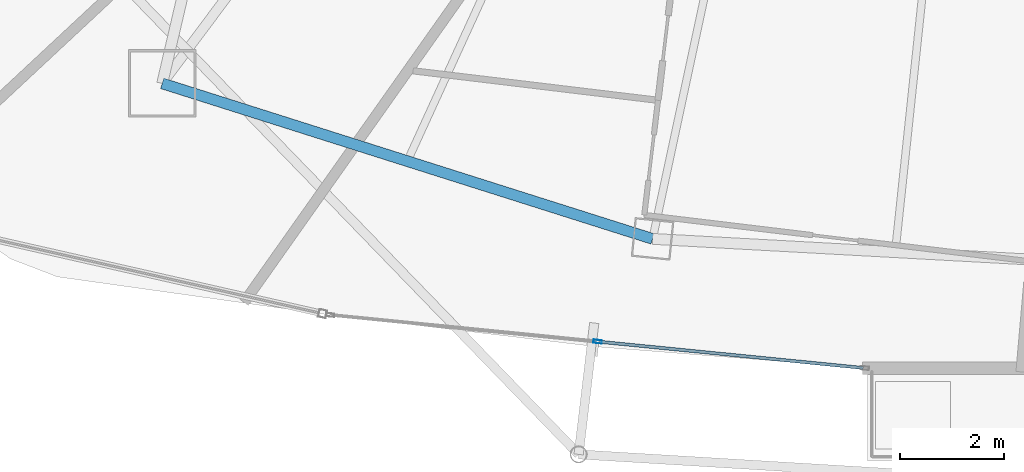
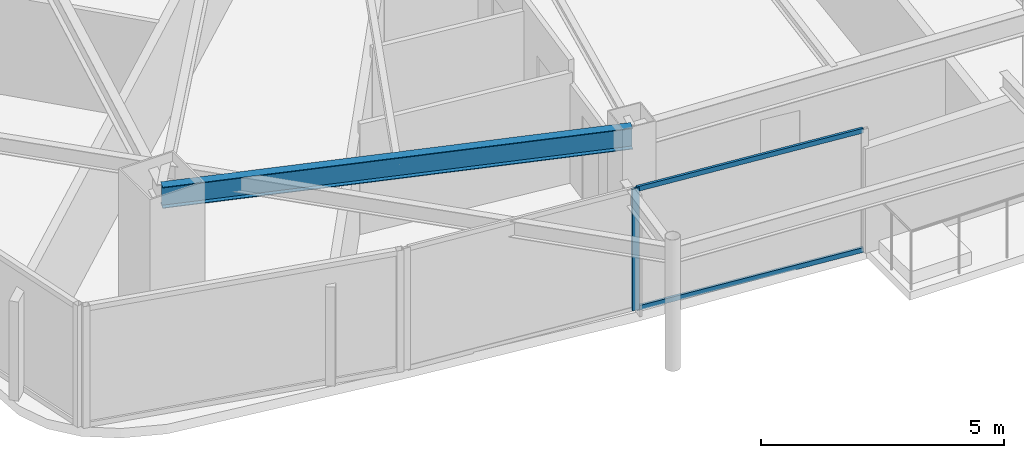
# One storey, part 4 of 32: 3 members, 1 beam, 1 element without a shape of its own.
"""IFC4 building model written with IfcOpenShell, lengths in metres."""

from ifc_helpers import new_model, si_unit, direction, frame, origin, origin_2d, place, context, subcontext, project, spatial, hollow_rectangle, i_section, extrude, material, layer, layer_set, material_profile, profile_set, type_object, element, aggregate, save


model = new_model("IFC4")

# Units and contexts
model_context = context("Model", 3, precision=1e-05, world=origin(), true_north=direction((0.0, 1.0)))
body_context = subcontext(model_context, "Body", "Model", "MODEL_VIEW")
ifc_project = project(units=[si_unit("LENGTHUNIT", "METRE"), si_unit("AREAUNIT", "SQUARE_METRE"), si_unit("VOLUMEUNIT", "CUBIC_METRE"), si_unit("PLANEANGLEUNIT", "RADIAN"), si_unit("MASSUNIT", "GRAM", prefix="KILO")], contexts=[model_context])

# Site, building, storey
site_placement = place(None, origin())
site = spatial("IfcSite", under=ifc_project, at=site_placement, CompositionType="ELEMENT")
building_placement = place(site_placement, origin())
building = spatial("IfcBuilding", under=site, at=building_placement, Name="Orvanel Arch Residences", CompositionType="ELEMENT")
storey_placement = place(building_placement, frame((0.0, 0.0, 216.199951171875)))
storey = spatial("IfcBuildingStorey", under=building, at=storey_placement, Name="L61", CompositionType="ELEMENT", Elevation=216.199951171875)

# Curtain wall, member
ifc_material_1 = material(Name="Bronze-anodised aluminium AA6063-T6", Category="aluminium")
ifc_layer = layer(ifc_material_1, 0.175048828125)
ifc_layer_set = layer_set([ifc_layer], Name="Bronze-anodised aluminium AA6063-T6")
curtain_wall_type = type_object("IfcCurtainWallType", Name="CW4-HI-SYS", PredefinedType="NOTDEFINED", material=ifc_layer_set)
curtain_wall_placement = place(storey_placement, origin())
curtain_wall = element("IfcCurtainWall", 1, at=curtain_wall_placement, inside=storey, type_object=curtain_wall_type, Name="L61 CW4-HI-SYS Unitised Curtain Wall", PredefinedType="NOTDEFINED")
ifc_material_profile_1 = material_profile(ifc_material_1, hollow_rectangle(XDim=0.06494140625, YDim=0.159912109375, WallThickness=0.00390625, at=origin_2d()), Name="ALU160x65x4")
ifc_profile_set_1 = profile_set([ifc_material_profile_1], Name="Bronze-anodised aluminium AA6063-T6")
member_type_1 = type_object("IfcMemberType", Name="MUL-160x65", PredefinedType="MULLION", material=ifc_profile_set_1)
member_1_placement = place(storey_placement, frame((22.589111328125, 5.3759765625, 0.0), z_axis=(0.0, 0.0, 1.0), x_axis=(0.098838628636, 0.995103474765, 0.0)))
member_1 = element("IfcMember", 2, at=member_1_placement, type_object=member_type_1, Name="CW-S4 mullion 2", PredefinedType="MULLION", context=body_context, shape_type="SweptSolid", body=[
    extrude(hollow_rectangle(XDim=0.06494140625, YDim=0.159912109375, WallThickness=0.00390625, at=origin_2d()), origin(), (0.0, 0.0, 1.0), 3.06005859375),
])

# Beam
ifc_material_2 = material(Name="Structural steel AS/NZS 3679.1 Grade 300 (300 MPa)", Category="steel")
ifc_material_profile_2 = material_profile(ifc_material_2, i_section(OverallWidth=0.208984375, OverallDepth=0.532958984375, WebThickness=0.01025390625, FlangeThickness=0.015625, at=origin_2d()), Name="530UB92.4")
ifc_profile_set_2 = profile_set([ifc_material_profile_2], Name="Structural steel AS/NZS 3679.1 Grade 300 (300 MPa)")
beam_type = type_object("IfcBeamType", Name="SP-530UB", PredefinedType="SPANDREL", material=ifc_profile_set_2)
beam_placement = place(storey_placement, frame((14.198974609375, 10.35107421875, 2.79296875), z_axis=(0.953237386592, -0.302222574941, 0.0), x_axis=(0.302222574941, 0.953237386592, 0.0)))
element("IfcBeam", 3, at=beam_placement, inside=storey, type_object=beam_type, Name="L61 Perimeter Spandrel Beam 02", PredefinedType="SPANDREL", context=body_context, shape_type="SweptSolid", body=[
    extrude(i_section(OverallWidth=0.208984375, OverallDepth=0.532958984375, WebThickness=0.01025390625, FlangeThickness=0.015625, at=origin_2d()), origin(), (0.0, 0.0, 1.0), 9.91357421875),
])

# Member
ifc_material_profile_3 = material_profile(ifc_material_1, hollow_rectangle(XDim=0.06005859375, YDim=0.1201171875, WallThickness=0.00341796875, at=origin_2d()), Name="ALU120x60x3.5")
ifc_profile_set_3 = profile_set([ifc_material_profile_3], Name="Bronze-anodised aluminium AA6063-T6")
member_type_2 = type_object("IfcMemberType", Name="TRN-120x60", PredefinedType="USERDEFINED", material=ifc_profile_set_3)
member_2_placement = place(storey_placement, frame((22.621337890625, 5.372802734375, 0.030029296875), z_axis=(0.995103157741, -0.098841820371, 0.0), x_axis=(0.098841820371, 0.995103157741, 0.0)))
member_2 = element("IfcMember", 4, at=member_2_placement, type_object=member_type_2, Name="CW-S4 transom 2.1", ObjectType="TRANSOM", PredefinedType="USERDEFINED", context=body_context, shape_type="SweptSolid", body=[
    extrude(hollow_rectangle(XDim=0.06005859375, YDim=0.1201171875, WallThickness=0.00341796875, at=origin_2d()), origin(), (0.0, 0.0, 1.0), 5.113037109375),
])

member_3_placement = place(storey_placement, frame((22.621337890625, 5.372802734375, 3.030029296875), z_axis=(0.995103157741, -0.098841820371, 0.0), x_axis=(0.098841820371, 0.995103157741, 0.0)))
member_3 = element("IfcMember", 5, at=member_3_placement, type_object=member_type_2, Name="CW-S4 transom 2.2", ObjectType="TRANSOM", PredefinedType="USERDEFINED", context=body_context, shape_type="SweptSolid", body=[
    extrude(hollow_rectangle(XDim=0.06005859375, YDim=0.1201171875, WallThickness=0.00341796875, at=origin_2d()), origin(), (0.0, 0.0, 1.0), 5.113037109375),
])

aggregate(curtain_wall, [member_1, member_2, member_3])

save(model, "model.ifc")
